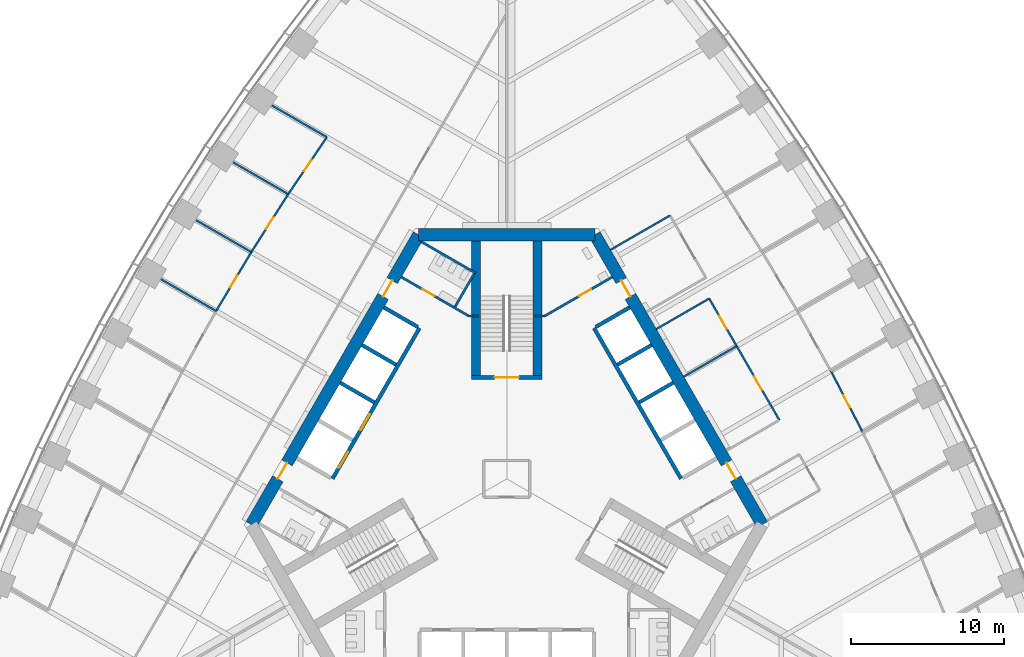
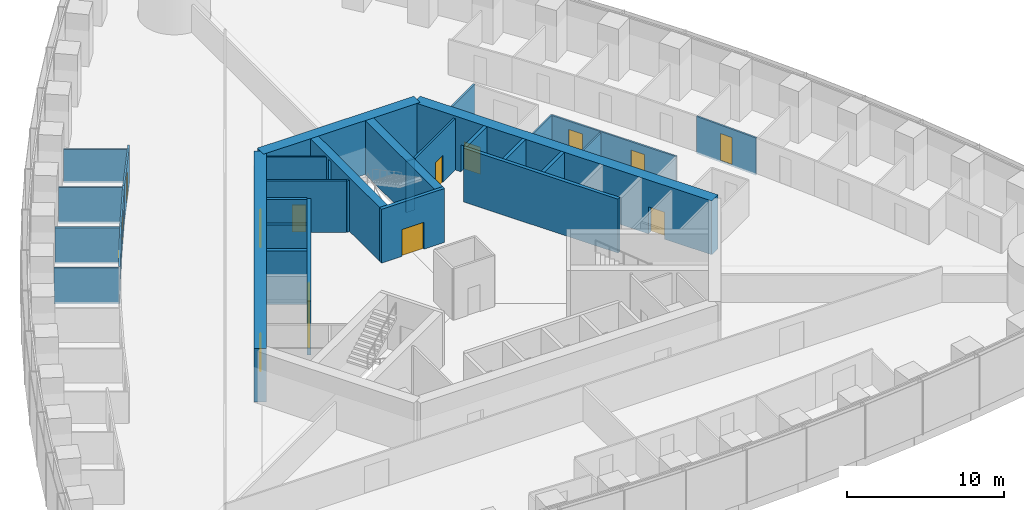
# One storey, part 12 of 18: 33 walls, 15 doors, 15 openings.
"""IFC4 building model written with IfcOpenShell, lengths in metres."""

from ifc_helpers import new_model, si_unit, direction, frame, frame_2d, origin, place, context, subcontext, project, spatial, rectangle, extrude, material, layer, layer_set, type_object, element, fill, save


model = new_model("IFC4")

# Units and contexts
model_context = context("Model", 3, precision=1e-05, world=origin(), true_north=direction((0.0, 1.0)))
body_context = subcontext(model_context, "Body", "Model", "MODEL_VIEW")
ifc_project = project(units=[si_unit("LENGTHUNIT", "METRE"), si_unit("AREAUNIT", "SQUARE_METRE"), si_unit("VOLUMEUNIT", "CUBIC_METRE"), si_unit("PLANEANGLEUNIT", "RADIAN"), si_unit("MASSUNIT", "GRAM", prefix="KILO")], contexts=[model_context])

# Site, building, storey
site_placement = place(None, origin())
site = spatial("IfcSite", under=ifc_project, at=site_placement, CompositionType="ELEMENT")
building_placement = place(site_placement, origin())
building = spatial("IfcBuilding", under=site, at=building_placement, Name="Trefoil Bronze Tower", CompositionType="ELEMENT")
storey_placement = place(building_placement, frame((0.0, 0.0, 58.5)))
storey = spatial("IfcBuildingStorey", under=building, at=storey_placement, Name="L13", CompositionType="ELEMENT", Elevation=58.5)

# Wall, openings, doors
ifc_material_1 = material(Name="Concrete B80", Category="concrete")
ifc_layer_1 = layer(ifc_material_1, 0.800048828125)
ifc_layer_set_1 = layer_set([ifc_layer_1], Name="Core wall 800")
wall_type_1 = type_object("IfcWallType", Name="Core wall 800", PredefinedType="SHEAR", material=ifc_layer_set_1)
wall_1_placement = place(storey_placement, frame((16.7431640625, -3.0, 0.0), z_axis=(0.0, 0.0, 1.0), x_axis=(-0.500002442456, 0.866023993627, 0.0)))
wall_1 = element("IfcWall", 1, at=wall_1_placement, inside=storey, type_object=wall_type_1, Name="Core long wall 2 L13", PredefinedType="SHEAR", context=body_context, shape_type="SweptSolid", body=[
    extrude(rectangle(XDim=21.939453125, YDim=0.800048828125, at=frame_2d((10.9697265625, 0.0))), origin(), (0.0, 0.0, 1.0), 4.199951171875),
])
opening_1_placement = place(wall_1_placement, frame((17.269775390625, 0.0, 0.0)))
opening_1 = element("IfcOpeningElement", 2, at=opening_1_placement, cuts=wall_1, Name="Opening D2", PredefinedType="OPENING", context=body_context, shape_type="SweptSolid", body=[
    extrude(rectangle(XDim=1.199951171875, YDim=2.10009765625, at=frame_2d((0.60009765625, 1.050048828125))), frame((0.0, 0.409912109375, 0.0), z_axis=(0.0, -1.0, 0.0), x_axis=(1.0, 0.0, 0.0)), (0.0, 0.0, 1.0), 0.820068359375),
])
opening_2_placement = place(wall_1_placement, frame((3.4697265625, 0.0, 0.0)))
opening_2 = element("IfcOpeningElement", 3, at=opening_2_placement, cuts=wall_1, Name="Opening D2", PredefinedType="OPENING", context=body_context, shape_type="SweptSolid", body=[
    extrude(rectangle(XDim=1.199951171875, YDim=2.10009765625, at=frame_2d((0.60009765625, 1.050048828125))), frame((0.0, 0.409912109375, 0.0), z_axis=(0.0, -1.0, 0.0), x_axis=(1.0, 0.0, 0.0)), (0.0, 0.0, 1.0), 0.820068359375),
])
ifc_material_2 = material(Name="Steel door", Category="steel")
door_type_1 = type_object("IfcDoorType", Name="Lobby door 1200", OperationType="SINGLE_SWING_RIGHT", PredefinedType="DOOR", material=ifc_material_2)
door_1_placement = place(opening_1_placement, origin())
door_1 = element("IfcDoor", 4, at=door_1_placement, inside=storey, type_object=door_type_1, Name="Lobby door F2+ L13", OperationType="SINGLE_SWING_RIGHT", OverallHeight=2.10009765625, OverallWidth=1.199951171875, PredefinedType="DOOR", context=body_context, shape_type="SweptSolid", body=[
    extrude(rectangle(XDim=1.199951171875, YDim=2.10009765625, at=frame_2d((0.60009765625, 1.050048828125))), frame((0.0, 0.02490234375, 0.0), z_axis=(0.0, -1.0, 0.0), x_axis=(1.0, 0.0, 0.0)), (0.0, 0.0, 1.0), 0.050048828125),
])
fill(opening_1, door_1)
door_2_placement = place(opening_2_placement, origin())
door_2 = element("IfcDoor", 5, at=door_2_placement, inside=storey, type_object=door_type_1, Name="Lobby door F2- L13", OperationType="SINGLE_SWING_LEFT", OverallHeight=2.10009765625, OverallWidth=1.199951171875, PredefinedType="DOOR", context=body_context, shape_type="SweptSolid", body=[
    extrude(rectangle(XDim=1.199951171875, YDim=2.10009765625, at=frame_2d((0.60009765625, 1.050048828125))), frame((0.0, 0.02490234375, 0.0), z_axis=(0.0, -1.0, 0.0), x_axis=(1.0, 0.0, 0.0)), (0.0, 0.0, 1.0), 0.050048828125),
])
fill(opening_2, door_2)

# Wall
wall_2_placement = place(storey_placement, frame((5.7734375, 16.0, 0.0), z_axis=(0.0, 0.0, 1.0), x_axis=(-1.0, 0.0, 0.0)))
element("IfcWall", 6, at=wall_2_placement, inside=storey, type_object=wall_type_1, Name="Core short wall 2 L13", PredefinedType="SHEAR", context=body_context, shape_type="SweptSolid", body=[
    extrude(rectangle(XDim=11.546875, YDim=0.800048828125, at=frame_2d((5.7734375, 0.0))), origin(), (0.0, 0.0, 1.0), 4.199951171875),
])

# Wall, openings, doors
wall_3_placement = place(storey_placement, frame((-5.7734375, 16.0, 0.0), z_axis=(0.0, 0.0, 1.0), x_axis=(-0.500002442456, -0.866023993627, 0.0)))
wall_3 = element("IfcWall", 7, at=wall_3_placement, inside=storey, type_object=wall_type_1, Name="Core long wall 3 L13", PredefinedType="SHEAR", context=body_context, shape_type="SweptSolid", body=[
    extrude(rectangle(XDim=21.939453125, YDim=0.800048828125, at=frame_2d((10.9697265625, 0.0))), origin(), (0.0, 0.0, 1.0), 4.199951171875),
])
opening_3_placement = place(wall_3_placement, frame((17.269775390625, 0.0, 0.0)))
opening_3 = element("IfcOpeningElement", 8, at=opening_3_placement, cuts=wall_3, Name="Opening D2", PredefinedType="OPENING", context=body_context, shape_type="SweptSolid", body=[
    extrude(rectangle(XDim=1.199951171875, YDim=2.10009765625, at=frame_2d((0.60009765625, 1.050048828125))), frame((0.0, 0.409912109375, 0.0), z_axis=(0.0, -1.0, 0.0), x_axis=(1.0, 0.0, 0.0)), (0.0, 0.0, 1.0), 0.820068359375),
])
opening_4_placement = place(wall_3_placement, frame((3.4697265625, 0.0, 0.0)))
opening_4 = element("IfcOpeningElement", 9, at=opening_4_placement, cuts=wall_3, Name="Opening D2", PredefinedType="OPENING", context=body_context, shape_type="SweptSolid", body=[
    extrude(rectangle(XDim=1.199951171875, YDim=2.10009765625, at=frame_2d((0.60009765625, 1.050048828125))), frame((0.0, 0.409912109375, 0.0), z_axis=(0.0, -1.0, 0.0), x_axis=(1.0, 0.0, 0.0)), (0.0, 0.0, 1.0), 0.820068359375),
])
door_3_placement = place(opening_3_placement, origin())
door_3 = element("IfcDoor", 10, at=door_3_placement, inside=storey, type_object=door_type_1, Name="Lobby door F3+ L13", OperationType="SINGLE_SWING_RIGHT", OverallHeight=2.10009765625, OverallWidth=1.199951171875, PredefinedType="DOOR", context=body_context, shape_type="SweptSolid", body=[
    extrude(rectangle(XDim=1.199951171875, YDim=2.10009765625, at=frame_2d((0.60009765625, 1.050048828125))), frame((0.0, 0.02490234375, 0.0), z_axis=(0.0, -1.0, 0.0), x_axis=(1.0, 0.0, 0.0)), (0.0, 0.0, 1.0), 0.050048828125),
])
fill(opening_3, door_3)
door_4_placement = place(opening_4_placement, origin())
door_4 = element("IfcDoor", 11, at=door_4_placement, inside=storey, type_object=door_type_1, Name="Lobby door F3- L13", OperationType="SINGLE_SWING_LEFT", OverallHeight=2.10009765625, OverallWidth=1.199951171875, PredefinedType="DOOR", context=body_context, shape_type="SweptSolid", body=[
    extrude(rectangle(XDim=1.199951171875, YDim=2.10009765625, at=frame_2d((0.60009765625, 1.050048828125))), frame((0.0, 0.02490234375, 0.0), z_axis=(0.0, -1.0, 0.0), x_axis=(1.0, 0.0, 0.0)), (0.0, 0.0, 1.0), 0.050048828125),
])
fill(opening_4, door_4)

# Wall, opening, door
ifc_material_3 = material(Name="Glazed partition", Category="glass")
ifc_layer_2 = layer(ifc_material_3, 0.1201171875)
ifc_layer_set_2 = layer_set([ifc_layer_2], Name="Glazed partition 120")
wall_type_2 = type_object("IfcWallType", Name="Glazed partition 120", PredefinedType="PARTITIONING", material=ifc_layer_set_2)
wall_4_placement = place(storey_placement, frame((15.06884765625, 8.699951171875, 0.0), z_axis=(0.0, 0.0, 1.0), x_axis=(-0.500012057535, 0.866018442252, 0.0)))
wall_4 = element("IfcWall", 12, at=wall_4_placement, inside=storey, type_object=wall_type_2, Name="Partition F2 L13", PredefinedType="PARTITIONING", context=body_context, shape_type="SweptSolid", body=[
    extrude(rectangle(XDim=3.60009765625, YDim=0.1201171875, at=frame_2d((1.800048828125, 0.0))), origin(), (0.0, 0.0, 1.0), 2.89990234375),
])
opening_5_placement = place(wall_4_placement, frame((1.300048828125, 0.0, 0.14990234375)))
opening_5 = element("IfcOpeningElement", 13, at=opening_5_placement, cuts=wall_4, Name="Opening D9", PredefinedType="OPENING", context=body_context, shape_type="SweptSolid", body=[
    extrude(rectangle(XDim=1.0, YDim=2.10009765625, at=frame_2d((0.5, 1.050048828125))), frame((0.0, 0.070068359375, 0.0), z_axis=(0.0, -1.0, 0.0), x_axis=(1.0, 0.0, 0.0)), (0.0, 0.0, 1.0), 0.14013671875),
])
ifc_material_4 = material(Name="Glazed timber door", Category="wood")
door_type_2 = type_object("IfcDoorType", Name="Meeting room door 1000", OperationType="SINGLE_SWING_LEFT", PredefinedType="DOOR", material=ifc_material_4)
door_5_placement = place(opening_5_placement, origin())
door_5 = element("IfcDoor", 14, at=door_5_placement, inside=storey, type_object=door_type_2, Name="Meeting room door F2 L13", OperationType="SINGLE_SWING_LEFT", OverallHeight=2.10009765625, OverallWidth=1.0, PredefinedType="DOOR", context=body_context, shape_type="SweptSolid", body=[
    extrude(rectangle(XDim=1.0, YDim=2.10009765625, at=frame_2d((0.5, 1.050048828125))), frame((0.0, 0.02490234375, 0.0), z_axis=(0.0, -1.0, 0.0), x_axis=(1.0, 0.0, 0.0)), (0.0, 0.0, 1.0), 0.050048828125),
])
fill(opening_5, door_5)

wall_5_placement = place(storey_placement, frame((17.868896484375, 3.850341796875, 0.0), z_axis=(0.0, 0.0, 1.0), x_axis=(-0.500016814911, 0.866015695474, 0.0)))
wall_5 = element("IfcWall", 15, at=wall_5_placement, inside=storey, type_object=wall_type_2, Name="Partition F2 L13", PredefinedType="PARTITIONING", context=body_context, shape_type="SweptSolid", body=[
    extrude(rectangle(XDim=5.599853515625, YDim=0.1201171875, at=frame_2d((2.7998046875, 0.0))), origin(), (0.0, 0.0, 1.0), 2.89990234375),
])
opening_6_placement = place(wall_5_placement, frame((2.300048828125, 0.0, 0.14990234375)))
opening_6 = element("IfcOpeningElement", 16, at=opening_6_placement, cuts=wall_5, Name="Opening D9", PredefinedType="OPENING", context=body_context, shape_type="SweptSolid", body=[
    extrude(rectangle(XDim=1.0, YDim=2.10009765625, at=frame_2d((0.5, 1.050048828125))), frame((0.0, 0.070068359375, 0.0), z_axis=(0.0, -1.0, 0.0), x_axis=(1.0, 0.0, 0.0)), (0.0, 0.0, 1.0), 0.14013671875),
])
door_6_placement = place(opening_6_placement, origin())
door_6 = element("IfcDoor", 17, at=door_6_placement, inside=storey, type_object=door_type_2, Name="Meeting room door F2 L13", OperationType="SINGLE_SWING_RIGHT", OverallHeight=2.10009765625, OverallWidth=1.0, PredefinedType="DOOR", context=body_context, shape_type="SweptSolid", body=[
    extrude(rectangle(XDim=1.0, YDim=2.10009765625, at=frame_2d((0.5, 1.050048828125))), frame((0.0, 0.02490234375, 0.0), z_axis=(0.0, -1.0, 0.0), x_axis=(1.0, 0.0, 0.0)), (0.0, 0.0, 1.0), 0.050048828125),
])
fill(opening_6, door_6)

# Walls
wall_6_placement = place(storey_placement, frame((9.8046875, 9.817626953125, 0.0), z_axis=(0.0, 0.0, 1.0), x_axis=(0.866026010844, 0.49999894854, 0.0)))
element("IfcWall", 18, at=wall_6_placement, inside=storey, type_object=wall_type_2, Name="Partition F2 L13", PredefinedType="PARTITIONING", context=body_context, shape_type="SweptSolid", body=[
    extrude(rectangle(XDim=4.0, YDim=0.1201171875, at=frame_2d((2.0, 0.0))), origin(), (0.0, 0.0, 1.0), 2.89990234375),
])
wall_7_placement = place(storey_placement, frame((6.8046875, 15.013916015625, 0.0), z_axis=(0.0, 0.0, 1.0), x_axis=(0.866031096941, 0.499990139034, 0.0)))
element("IfcWall", 19, at=wall_7_placement, inside=storey, type_object=wall_type_2, Name="Partition F2 L13", PredefinedType="PARTITIONING", context=body_context, shape_type="SweptSolid", body=[
    extrude(rectangle(XDim=4.5, YDim=0.1201171875, at=frame_2d((2.25, 0.0))), origin(), (0.0, 0.0, 1.0), 2.89990234375),
])
wall_8_placement = place(storey_placement, frame((11.604736328125, 6.699951171875, 0.0), z_axis=(0.0, 0.0, 1.0), x_axis=(0.866026010844, 0.49999894854, 0.0)))
element("IfcWall", 20, at=wall_8_placement, inside=storey, type_object=wall_type_2, Name="Partition F2 L13", PredefinedType="PARTITIONING", context=body_context, shape_type="SweptSolid", body=[
    extrude(rectangle(XDim=4.0, YDim=0.1201171875, at=frame_2d((2.0, 0.0))), origin(), (0.0, 0.0, 1.0), 2.800048828125),
])

# Wall, opening, door
wall_9_placement = place(storey_placement, frame((23.3251953125, 3.074462890625, 0.0), z_axis=(0.0, 0.0, 1.0), x_axis=(-0.461852697957, 0.886956642339, 0.0)))
wall_9 = element("IfcWall", 21, at=wall_9_placement, inside=storey, type_object=wall_type_2, Name="Partition F2 L13", PredefinedType="PARTITIONING", context=body_context, shape_type="SweptSolid", body=[
    extrude(rectangle(XDim=4.50439453125, YDim=0.1201171875, at=frame_2d((2.252197265625, 0.0))), origin(), (0.0, 0.0, 1.0), 2.89990234375),
])
opening_7_placement = place(wall_9_placement, frame((1.800048828125, 0.0, 0.14990234375)))
opening_7 = element("IfcOpeningElement", 22, at=opening_7_placement, cuts=wall_9, Name="Opening D8", PredefinedType="OPENING", context=body_context, shape_type="SweptSolid", body=[
    extrude(rectangle(XDim=0.89990234375, YDim=2.10009765625, at=frame_2d((0.449951171875, 1.050048828125))), frame((0.0, 0.070068359375, 0.0), z_axis=(0.0, -1.0, 0.0), x_axis=(1.0, 0.0, 0.0)), (0.0, 0.0, 1.0), 0.14013671875),
])
ifc_material_5 = material(Name="Timber door", Category="wood")
door_type_3 = type_object("IfcDoorType", Name="Office door 900", OperationType="SINGLE_SWING_LEFT", PredefinedType="DOOR", material=ifc_material_5)
door_7_placement = place(opening_7_placement, frame((0.89990234375, 0.0, 0.0), z_axis=(0.0, 0.0, 1.0), x_axis=(-1.0, 0.0, 0.0)))
door_7 = element("IfcDoor", 23, at=door_7_placement, inside=storey, type_object=door_type_3, Name="Office door F2 L13", OperationType="SINGLE_SWING_RIGHT", OverallHeight=2.10009765625, OverallWidth=0.89990234375, PredefinedType="DOOR", context=body_context, shape_type="SweptSolid", body=[
    extrude(rectangle(XDim=0.89990234375, YDim=2.10009765625, at=frame_2d((0.449951171875, 1.050048828125))), frame((0.0, 0.02490234375, 0.0), z_axis=(0.0, -1.0, 0.0), x_axis=(1.0, 0.0, 0.0)), (0.0, 0.0, 1.0), 0.050048828125),
])
fill(opening_7, door_7)

wall_10_placement = place(storey_placement, frame((-11.791748046875, 22.396240234375, 0.0), z_axis=(0.0, 0.0, 1.0), x_axis=(-0.561512004239, -0.827468591002, 0.0)))
wall_10 = element("IfcWall", 24, at=wall_10_placement, inside=storey, type_object=wall_type_2, Name="Partition F3 L13", PredefinedType="PARTITIONING", context=body_context, shape_type="SweptSolid", body=[
    extrude(rectangle(XDim=4.51171875, YDim=0.1201171875, at=frame_2d((2.255859375, 0.0))), origin(), (0.0, 0.0, 1.0), 2.89990234375),
])
opening_8_placement = place(wall_10_placement, frame((1.800048828125, 0.0, 0.14990234375)))
opening_8 = element("IfcOpeningElement", 25, at=opening_8_placement, cuts=wall_10, Name="Opening D8", PredefinedType="OPENING", context=body_context, shape_type="SweptSolid", body=[
    extrude(rectangle(XDim=0.89990234375, YDim=2.10009765625, at=frame_2d((0.449951171875, 1.050048828125))), frame((0.0, 0.070068359375, 0.0), z_axis=(0.0, -1.0, 0.0), x_axis=(1.0, 0.0, 0.0)), (0.0, 0.0, 1.0), 0.14013671875),
])
door_8_placement = place(opening_8_placement, frame((0.89990234375, 0.0, 0.0), z_axis=(0.0, 0.0, 1.0), x_axis=(-1.0, 0.0, 0.0)))
door_8 = element("IfcDoor", 26, at=door_8_placement, inside=storey, type_object=door_type_3, Name="Office door F3 L13", OperationType="SINGLE_SWING_RIGHT", OverallHeight=2.10009765625, OverallWidth=0.89990234375, PredefinedType="DOOR", context=body_context, shape_type="SweptSolid", body=[
    extrude(rectangle(XDim=0.89990234375, YDim=2.10009765625, at=frame_2d((0.449951171875, 1.050048828125))), frame((0.0, 0.02490234375, 0.0), z_axis=(0.0, -1.0, 0.0), x_axis=(1.0, 0.0, 0.0)), (0.0, 0.0, 1.0), 0.050048828125),
])
fill(opening_8, door_8)

wall_11_placement = place(storey_placement, frame((-16.744873046875, 14.86376953125, 0.0), z_axis=(0.0, 0.0, 1.0), x_axis=(-0.51252396108, -0.858672923364, 0.0)))
wall_11 = element("IfcWall", 27, at=wall_11_placement, inside=storey, type_object=wall_type_2, Name="Partition F3 L13", PredefinedType="PARTITIONING", context=body_context, shape_type="SweptSolid", body=[
    extrude(rectangle(XDim=4.50048828125, YDim=0.1201171875, at=frame_2d((2.250244140625, 0.0))), origin(), (0.0, 0.0, 1.0), 2.89990234375),
])
opening_9_placement = place(wall_11_placement, frame((1.800048828125, 0.0, 0.14990234375)))
opening_9 = element("IfcOpeningElement", 28, at=opening_9_placement, cuts=wall_11, Name="Opening D8", PredefinedType="OPENING", context=body_context, shape_type="SweptSolid", body=[
    extrude(rectangle(XDim=0.89990234375, YDim=2.10009765625, at=frame_2d((0.449951171875, 1.050048828125))), frame((0.0, 0.070068359375, 0.0), z_axis=(0.0, -1.0, 0.0), x_axis=(1.0, 0.0, 0.0)), (0.0, 0.0, 1.0), 0.14013671875),
])
door_9_placement = place(opening_9_placement, frame((0.89990234375, 0.0, 0.0), z_axis=(0.0, 0.0, 1.0), x_axis=(-1.0, 0.0, 0.0)))
door_9 = element("IfcDoor", 29, at=door_9_placement, inside=storey, type_object=door_type_3, Name="Office door F3 L13", OperationType="SINGLE_SWING_RIGHT", OverallHeight=2.10009765625, OverallWidth=0.89990234375, PredefinedType="DOOR", context=body_context, shape_type="SweptSolid", body=[
    extrude(rectangle(XDim=0.89990234375, YDim=2.10009765625, at=frame_2d((0.449951171875, 1.050048828125))), frame((0.0, 0.02490234375, 0.0), z_axis=(0.0, -1.0, 0.0), x_axis=(1.0, 0.0, 0.0)), (0.0, 0.0, 1.0), 0.050048828125),
])
fill(opening_9, door_9)

wall_12_placement = place(storey_placement, frame((-14.3251953125, 18.662841796875, 0.0), z_axis=(0.0, 0.0, 1.0), x_axis=(-0.537205132487, -0.843451626135, 0.0)))
wall_12 = element("IfcWall", 30, at=wall_12_placement, inside=storey, type_object=wall_type_2, Name="Partition F3 L13", PredefinedType="PARTITIONING", context=body_context, shape_type="SweptSolid", body=[
    extrude(rectangle(XDim=4.504150390625, YDim=0.1201171875, at=frame_2d((2.251953125, 0.0))), origin(), (0.0, 0.0, 1.0), 2.89990234375),
])
opening_10_placement = place(wall_12_placement, frame((1.800048828125, 0.0, 0.14990234375)))
opening_10 = element("IfcOpeningElement", 31, at=opening_10_placement, cuts=wall_12, Name="Opening D8", PredefinedType="OPENING", context=body_context, shape_type="SweptSolid", body=[
    extrude(rectangle(XDim=0.89990234375, YDim=2.10009765625, at=frame_2d((0.449951171875, 1.050048828125))), frame((0.0, 0.070068359375, 0.0), z_axis=(0.0, -1.0, 0.0), x_axis=(1.0, 0.0, 0.0)), (0.0, 0.0, 1.0), 0.14013671875),
])
door_10_placement = place(opening_10_placement, frame((0.89990234375, 0.0, 0.0), z_axis=(0.0, 0.0, 1.0), x_axis=(-1.0, 0.0, 0.0)))
door_10 = element("IfcDoor", 32, at=door_10_placement, inside=storey, type_object=door_type_3, Name="Office door F3 L13", OperationType="SINGLE_SWING_RIGHT", OverallHeight=2.10009765625, OverallWidth=0.89990234375, PredefinedType="DOOR", context=body_context, shape_type="SweptSolid", body=[
    extrude(rectangle(XDim=0.89990234375, YDim=2.10009765625, at=frame_2d((0.449951171875, 1.050048828125))), frame((0.0, 0.02490234375, 0.0), z_axis=(0.0, -1.0, 0.0), x_axis=(1.0, 0.0, 0.0)), (0.0, 0.0, 1.0), 0.050048828125),
])
fill(opening_10, door_10)

# Walls
wall_13_placement = place(storey_placement, frame((-19.051513671875, 10.999267578125, 0.0), z_axis=(0.0, 0.0, 1.0), x_axis=(-0.866004239599, 0.500036655653, 0.0)))
element("IfcWall", 33, at=wall_13_placement, inside=storey, type_object=wall_type_2, Name="Partition F3 L13", PredefinedType="PARTITIONING", context=body_context, shape_type="SweptSolid", body=[
    extrude(rectangle(XDim=4.170166015625, YDim=0.1201171875, at=frame_2d((2.0849609375, 0.0))), origin(), (0.0, 0.0, 1.0), 2.800048828125),
])
wall_14_placement = place(storey_placement, frame((-11.791748046875, 22.396240234375, 0.0), z_axis=(0.0, 0.0, 1.0), x_axis=(-0.866011781705, 0.500023593391, 0.0)))
element("IfcWall", 34, at=wall_14_placement, inside=storey, type_object=wall_type_2, Name="Partition F3 L13", PredefinedType="PARTITIONING", context=body_context, shape_type="SweptSolid", body=[
    extrude(rectangle(XDim=4.163818359375, YDim=0.1201171875, at=frame_2d((2.08203125, 0.0))), origin(), (0.0, 0.0, 1.0), 2.60009765625),
])
wall_15_placement = place(storey_placement, frame((-16.744873046875, 14.86376953125, 0.0), z_axis=(0.0, 0.0, 1.0), x_axis=(-0.866025669538, 0.499999539701, 0.0)))
element("IfcWall", 35, at=wall_15_placement, inside=storey, type_object=wall_type_2, Name="Partition F3 L13", PredefinedType="PARTITIONING", context=body_context, shape_type="SweptSolid", body=[
    extrude(rectangle(XDim=4.16943359375, YDim=0.1201171875, at=frame_2d((2.084716796875, 0.0))), origin(), (0.0, 0.0, 1.0), 2.800048828125),
])
wall_16_placement = place(storey_placement, frame((-14.3251953125, 18.662841796875, 0.0), z_axis=(0.0, 0.0, 1.0), x_axis=(-0.866009971343, 0.50002672882, 0.0)))
element("IfcWall", 36, at=wall_16_placement, inside=storey, type_object=wall_type_2, Name="Partition F3 L13", PredefinedType="PARTITIONING", context=body_context, shape_type="SweptSolid", body=[
    extrude(rectangle(XDim=4.167236328125, YDim=0.1201171875, at=frame_2d((2.08349609375, 0.0))), origin(), (0.0, 0.0, 1.0), 2.800048828125),
])

# Wall, opening, door
ifc_material_6 = material(Name="Gypsum board on steel studs", Category="steel")
ifc_layer_3 = layer(ifc_material_6, 0.14990234375)
ifc_layer_set_3 = layer_set([ifc_layer_3], Name="Partition 150")
wall_type_3 = type_object("IfcWallType", Name="Partition 150", PredefinedType="PARTITIONING", material=ifc_layer_set_3)
wall_17_placement = place(storey_placement, frame((2.4951171875, 10.67822265625, 0.0), z_axis=(0.0, 0.0, 1.0), x_axis=(0.86602216432, 0.500005610874, 0.0)))
wall_17 = element("IfcWall", 37, at=wall_17_placement, inside=storey, type_object=wall_type_3, Name="Passage wall F2+ L13", PredefinedType="PARTITIONING", context=body_context, shape_type="SweptSolid", body=[
    extrude(rectangle(XDim=5.10009765625, YDim=0.14990234375, at=frame_2d((2.550048828125, 0.0))), origin(), (0.0, 0.0, 1.0), 4.0),
])
opening_11_placement = place(wall_17_placement, frame((2.60009765625, 0.0, 0.0)))
opening_11 = element("IfcOpeningElement", 38, at=opening_11_placement, cuts=wall_17, Name="Opening D3", PredefinedType="OPENING", context=body_context, shape_type="SweptSolid", body=[
    extrude(rectangle(XDim=0.89990234375, YDim=2.10009765625, at=frame_2d((0.449951171875, 1.050048828125))), frame((0.0, 0.0849609375, 0.0), z_axis=(0.0, -1.0, 0.0), x_axis=(1.0, 0.0, 0.0)), (0.0, 0.0, 1.0), 0.169921875),
])
ifc_material_7 = material(Name="Timber door", Category="wood")
door_type_4 = type_object("IfcDoorType", Name="WC door 900", OperationType="SINGLE_SWING_LEFT", PredefinedType="DOOR", material=ifc_material_7)
door_11_placement = place(opening_11_placement, origin())
door_11 = element("IfcDoor", 39, at=door_11_placement, inside=storey, type_object=door_type_4, Name="Accessible WC door L13", OperationType="SINGLE_SWING_RIGHT", OverallHeight=2.10009765625, OverallWidth=0.89990234375, PredefinedType="DOOR", context=body_context, shape_type="SweptSolid", body=[
    extrude(rectangle(XDim=0.89990234375, YDim=2.10009765625, at=frame_2d((0.449951171875, 1.050048828125))), frame((0.0, 0.02490234375, 0.0), z_axis=(0.0, -1.0, 0.0), x_axis=(1.0, 0.0, 0.0)), (0.0, 0.0, 1.0), 0.050048828125),
])
fill(opening_11, door_11)

wall_18_placement = place(storey_placement, frame((-2.4951171875, 10.67822265625, 0.0), z_axis=(0.0, 0.0, 1.0), x_axis=(-0.86602216432, 0.500005610874, 0.0)))
wall_18 = element("IfcWall", 40, at=wall_18_placement, inside=storey, type_object=wall_type_3, Name="Passage wall F3- L13", PredefinedType="PARTITIONING", context=body_context, shape_type="SweptSolid", body=[
    extrude(rectangle(XDim=5.10009765625, YDim=0.14990234375, at=frame_2d((2.550048828125, 0.0))), origin(), (0.0, 0.0, 1.0), 4.0),
])
opening_12_placement = place(wall_18_placement, frame((2.60009765625, 0.0, 0.0)))
opening_12 = element("IfcOpeningElement", 41, at=opening_12_placement, cuts=wall_18, Name="Opening D3", PredefinedType="OPENING", context=body_context, shape_type="SweptSolid", body=[
    extrude(rectangle(XDim=0.89990234375, YDim=2.10009765625, at=frame_2d((0.449951171875, 1.050048828125))), frame((0.0, 0.0849609375, 0.0), z_axis=(0.0, -1.0, 0.0), x_axis=(1.0, 0.0, 0.0)), (0.0, 0.0, 1.0), 0.169921875),
])
door_12_placement = place(opening_12_placement, frame((0.89990234375, 0.0, 0.0), z_axis=(0.0, 0.0, 1.0), x_axis=(-1.0, 0.0, 0.0)))
door_12 = element("IfcDoor", 42, at=door_12_placement, inside=storey, type_object=door_type_4, Name="WC (women) door L13", OperationType="SINGLE_SWING_RIGHT", OverallHeight=2.10009765625, OverallWidth=0.89990234375, PredefinedType="DOOR", context=body_context, shape_type="SweptSolid", body=[
    extrude(rectangle(XDim=0.89990234375, YDim=2.10009765625, at=frame_2d((0.449951171875, 1.050048828125))), frame((0.0, 0.02490234375, 0.0), z_axis=(0.0, -1.0, 0.0), x_axis=(1.0, 0.0, 0.0)), (0.0, 0.0, 1.0), 0.050048828125),
])
fill(opening_12, door_12)

# Walls
for number, where, z_axis, x_axis, name in (
    (43, (2.4951171875, 10.67822265625, 0.0), (0.0, 0.0, 1.0), (-1.0, 0.0, 0.0), "WC wall ST2-1 L13"),
    (44, (-2.4951171875, 10.67822265625, 0.0), (0.0, 0.0, 1.0), (1.0, 0.0, 0.0), "WC wall ST2+1 L13"),
):
    element("IfcWall", number, at=place(storey_placement, frame(where, z_axis=z_axis, x_axis=x_axis)), inside=storey, type_object=wall_type_3, Name=name, PredefinedType="PARTITIONING", context=body_context, shape_type="SweptSolid", body=[
        extrude(rectangle(XDim=0.64501953125, YDim=0.14990234375, at=frame_2d((0.322509765625, 0.0))), origin(), (0.0, 0.0, 1.0), 4.0),
    ])
wall_19_placement = place(storey_placement, frame((-2.03125, 13.48193359375, 0.0), z_axis=(0.0, 0.0, 1.0), x_axis=(-0.866050731258, 0.499956128963, 0.0)))
element("IfcWall", 45, at=wall_19_placement, inside=storey, type_object=wall_type_3, Name="WC partition WC (women) L13", PredefinedType="PARTITIONING", context=body_context, shape_type="SweptSolid", body=[
    extrude(rectangle(XDim=4.099853515625, YDim=0.14990234375, at=frame_2d((2.0498046875, 0.0))), origin(), (0.0, 0.0, 1.0), 4.0),
])
wall_20_placement = place(storey_placement, frame((-3.388671875, 11.28076171875, 0.0), z_axis=(0.0, 0.0, 1.0), x_axis=(0.499989096993, 0.866031698547, 0.0)))
element("IfcWall", 46, at=wall_20_placement, inside=storey, type_object=wall_type_3, Name="WC partition WC (women) L13", PredefinedType="PARTITIONING", context=body_context, shape_type="SweptSolid", body=[
    extrude(rectangle(XDim=2.509765625, YDim=0.14990234375, at=frame_2d((1.2548828125, 0.0))), origin(), (0.0, 0.0, 1.0), 4.0),
])
ifc_material_8 = material(Name="Concrete B80", Category="concrete")
ifc_layer_4 = layer(ifc_material_8, 0.25)
ifc_layer_set_4 = layer_set([ifc_layer_4], Name="Shaft wall 250")
wall_type_4 = type_object("IfcWallType", Name="Shaft wall 250", PredefinedType="SHEAR", material=ifc_layer_set_4)
wall_21_placement = place(storey_placement, frame((11.423583984375, 0.013671875, 0.0), z_axis=(0.0, 0.0, 1.0), x_axis=(-0.500001763848, 0.866024385424, 0.0)))
element("IfcWall", 47, at=wall_21_placement, inside=storey, type_object=wall_type_4, Name="Lift shaft front wall B L13", PredefinedType="SHEAR", context=body_context, shape_type="SweptSolid", body=[
    extrude(rectangle(XDim=11.39990234375, YDim=0.25, at=frame_2d((5.699951171875, 0.0))), origin(), (0.0, 0.0, 1.0), 4.199951171875),
])
for number, where, z_axis, x_axis, name in (
    (48, (8.681884765625, 5.012451171875, 0.0), (0.0, 0.0, 1.0), (0.866005588531, 0.500034319456, 0.0), "Lift shaft side wall B2 L13"),
    (49, (7.2568359375, 7.480712890625, 0.0), (0.0, 0.0, 1.0), (0.866046643894, 0.499963209246, 0.0), "Lift shaft side wall B3 L13"),
):
    element("IfcWall", number, at=place(storey_placement, frame(where, z_axis=z_axis, x_axis=x_axis)), inside=storey, type_object=wall_type_4, Name=name, PredefinedType="SHEAR", context=body_context, shape_type="SweptSolid", body=[
        extrude(rectangle(XDim=2.574951171875, YDim=0.25, at=frame_2d((1.28759765625, 0.0))), origin(), (0.0, 0.0, 1.0), 4.199951171875),
    ])
wall_22_placement = place(storey_placement, frame((5.831787109375, 9.94873046875, 0.0), z_axis=(0.0, 0.0, 1.0), x_axis=(0.866029291668, 0.499993265928, 0.0)))
element("IfcWall", 50, at=wall_22_placement, inside=storey, type_object=wall_type_4, Name="Lift shaft side wall B4 L13", PredefinedType="SHEAR", context=body_context, shape_type="SweptSolid", body=[
    extrude(rectangle(XDim=2.5751953125, YDim=0.25, at=frame_2d((1.28759765625, 0.0))), origin(), (0.0, 0.0, 1.0), 4.199951171875),
])

# Wall, openings, doors
wall_23_placement = place(storey_placement, frame((-5.7236328125, 9.88623046875, 0.0), z_axis=(0.0, 0.0, 1.0), x_axis=(-0.500001763848, -0.866024385424, 0.0)))
wall_23 = element("IfcWall", 51, at=wall_23_placement, inside=storey, type_object=wall_type_4, Name="Lift shaft front wall C L13", PredefinedType="SHEAR", context=body_context, shape_type="SweptSolid", body=[
    extrude(rectangle(XDim=11.39990234375, YDim=0.25, at=frame_2d((5.699951171875, 0.0))), origin(), (0.0, 0.0, 1.0), 4.199951171875),
])
opening_13_placement = place(wall_23_placement, frame((6.52490234375, 0.0, 0.0)))
opening_13 = element("IfcOpeningElement", 52, at=opening_13_placement, cuts=wall_23, Name="Opening LD-FL1", PredefinedType="OPENING", context=body_context, shape_type="SweptSolid", body=[
    extrude(rectangle(XDim=1.199951171875, YDim=2.199951171875, at=frame_2d((0.60009765625, 1.10009765625))), frame((0.0, 0.135009765625, 0.0), z_axis=(0.0, -1.0, 0.0), x_axis=(1.0, 0.0, 0.0)), (0.0, 0.0, 1.0), 0.27001953125),
])
opening_14_placement = place(wall_23_placement, frame((9.375, 0.0, 0.0)))
opening_14 = element("IfcOpeningElement", 53, at=opening_14_placement, cuts=wall_23, Name="Opening LD-FL2", PredefinedType="OPENING", context=body_context, shape_type="SweptSolid", body=[
    extrude(rectangle(XDim=1.199951171875, YDim=2.199951171875, at=frame_2d((0.60009765625, 1.10009765625))), frame((0.0, 0.135009765625, 0.0), z_axis=(0.0, -1.0, 0.0), x_axis=(1.0, 0.0, 0.0)), (0.0, 0.0, 1.0), 0.27001953125),
])
ifc_material_9 = material(Name="Steel door", Category="steel")
door_type_5 = type_object("IfcDoorType", Name="Lift landing door 1200", OperationType="DOUBLE_DOOR_SLIDING", PredefinedType="DOOR", material=ifc_material_9)
door_13_placement = place(opening_13_placement, origin())
door_13 = element("IfcDoor", 54, at=door_13_placement, inside=storey, type_object=door_type_5, Name="Lift FL1 landing door L13", OperationType="DOUBLE_DOOR_SLIDING", OverallHeight=2.199951171875, OverallWidth=1.199951171875, PredefinedType="DOOR", context=body_context, shape_type="SweptSolid", body=[
    extrude(rectangle(XDim=1.199951171875, YDim=2.199951171875, at=frame_2d((0.60009765625, 1.10009765625))), frame((0.0, 0.02490234375, 0.0), z_axis=(0.0, -1.0, 0.0), x_axis=(1.0, 0.0, 0.0)), (0.0, 0.0, 1.0), 0.050048828125),
])
fill(opening_13, door_13)
door_14_placement = place(opening_14_placement, origin())
door_14 = element("IfcDoor", 55, at=door_14_placement, inside=storey, type_object=door_type_5, Name="Lift FL2 landing door L13", OperationType="DOUBLE_DOOR_SLIDING", OverallHeight=2.199951171875, OverallWidth=1.199951171875, PredefinedType="DOOR", context=body_context, shape_type="SweptSolid", body=[
    extrude(rectangle(XDim=1.199951171875, YDim=2.199951171875, at=frame_2d((0.60009765625, 1.10009765625))), frame((0.0, 0.02490234375, 0.0), z_axis=(0.0, -1.0, 0.0), x_axis=(1.0, 0.0, 0.0)), (0.0, 0.0, 1.0), 0.050048828125),
])
fill(opening_14, door_14)

# Walls
wall_24_placement = place(storey_placement, frame((-5.831787109375, 9.94873046875, 0.0), z_axis=(0.0, 0.0, 1.0), x_axis=(-0.866029291668, 0.499993265928, 0.0)))
element("IfcWall", 56, at=wall_24_placement, inside=storey, type_object=wall_type_4, Name="Lift shaft side wall C0 L13", PredefinedType="SHEAR", context=body_context, shape_type="SweptSolid", body=[
    extrude(rectangle(XDim=2.5751953125, YDim=0.25, at=frame_2d((1.28759765625, 0.0))), origin(), (0.0, 0.0, 1.0), 4.199951171875),
])
for number, where, z_axis, x_axis, name in (
    (57, (-7.2568359375, 7.480712890625, 0.0), (0.0, 0.0, 1.0), (-0.866046643894, 0.499963209246, 0.0), "Lift shaft side wall C1 L13"),
    (58, (-8.681884765625, 5.012451171875, 0.0), (0.0, 0.0, 1.0), (-0.866005588531, 0.500034319456, 0.0), "Lift shaft side wall C2 L13"),
):
    element("IfcWall", number, at=place(storey_placement, frame(where, z_axis=z_axis, x_axis=x_axis)), inside=storey, type_object=wall_type_4, Name=name, PredefinedType="SHEAR", context=body_context, shape_type="SweptSolid", body=[
        extrude(rectangle(XDim=2.574951171875, YDim=0.25, at=frame_2d((1.28759765625, 0.0))), origin(), (0.0, 0.0, 1.0), 4.199951171875),
    ])

# Wall, opening, door
wall_25_placement = place(storey_placement, frame((2.324951171875, 6.64990234375, 0.0), z_axis=(0.0, 0.0, 1.0), x_axis=(-1.0, 0.0, 0.0)))
wall_25 = element("IfcWall", 59, at=wall_25_placement, inside=storey, type_object=wall_type_4, Name="Stair end wall ST2 L13", PredefinedType="SHEAR", context=body_context, shape_type="SweptSolid", body=[
    extrude(rectangle(XDim=4.64990234375, YDim=0.25, at=frame_2d((2.324951171875, 0.0))), origin(), (0.0, 0.0, 1.0), 4.199951171875),
])
opening_15_placement = place(wall_25_placement, frame((1.52490234375, 0.0, 0.0)))
opening_15 = element("IfcOpeningElement", 60, at=opening_15_placement, cuts=wall_25, Name="Opening D1", PredefinedType="OPENING", context=body_context, shape_type="SweptSolid", body=[
    extrude(rectangle(XDim=1.60009765625, YDim=2.10009765625, at=frame_2d((0.800048828125, 1.050048828125))), frame((0.0, 0.135009765625, 0.0), z_axis=(0.0, -1.0, 0.0), x_axis=(1.0, 0.0, 0.0)), (0.0, 0.0, 1.0), 0.27001953125),
])
ifc_material_10 = material(Name="Steel door", Category="steel")
door_type_6 = type_object("IfcDoorType", Name="Stair door 1600", OperationType="DOUBLE_DOOR_SINGLE_SWING", PredefinedType="DOOR", material=ifc_material_10)
door_15_placement = place(opening_15_placement, frame((1.60009765625, 0.0, 0.0), z_axis=(0.0, 0.0, 1.0), x_axis=(-1.0, 0.0, 0.0)))
door_15 = element("IfcDoor", 61, at=door_15_placement, inside=storey, type_object=door_type_6, Name="Stair door ST2 L13", OperationType="DOUBLE_DOOR_SINGLE_SWING", OverallHeight=2.10009765625, OverallWidth=1.60009765625, PredefinedType="DOOR", context=body_context, shape_type="SweptSolid", body=[
    extrude(rectangle(XDim=1.60009765625, YDim=2.10009765625, at=frame_2d((0.800048828125, 1.050048828125))), frame((0.0, 0.02490234375, 0.0), z_axis=(0.0, -1.0, 0.0), x_axis=(1.0, 0.0, 0.0)), (0.0, 0.0, 1.0), 0.050048828125),
])
fill(opening_15, door_15)

# Walls
ifc_material_11 = material(Name="Concrete B80", Category="concrete")
ifc_layer_5 = layer(ifc_material_11, 0.60009765625)
ifc_layer_set_5 = layer_set([ifc_layer_5], Name="Stair wall 600")
wall_type_5 = type_object("IfcWallType", Name="Stair wall 600", PredefinedType="SHEAR", material=ifc_layer_set_5)
for number, where, z_axis, x_axis, name in (
    (62, (2.02490234375, 6.52490234375, 0.0), (0.0, 0.0, 1.0), (0.0, 1.0, 0.0), "Stair wall ST2 L13"),
    (63, (-2.02490234375, 6.52490234375, 0.0), (0.0, 0.0, 1.0), (0.0, 1.0, 0.0), "Stair wall ST2 L13"),
):
    element("IfcWall", number, at=place(storey_placement, frame(where, z_axis=z_axis, x_axis=x_axis)), inside=storey, type_object=wall_type_5, Name=name, PredefinedType="SHEAR", context=body_context, shape_type="SweptSolid", body=[
        extrude(rectangle(XDim=9.0751953125, YDim=0.60009765625, at=frame_2d((4.53759765625, 0.0))), origin(), (0.0, 0.0, 1.0), 4.199951171875),
    ])

save(model, "model.ifc")
